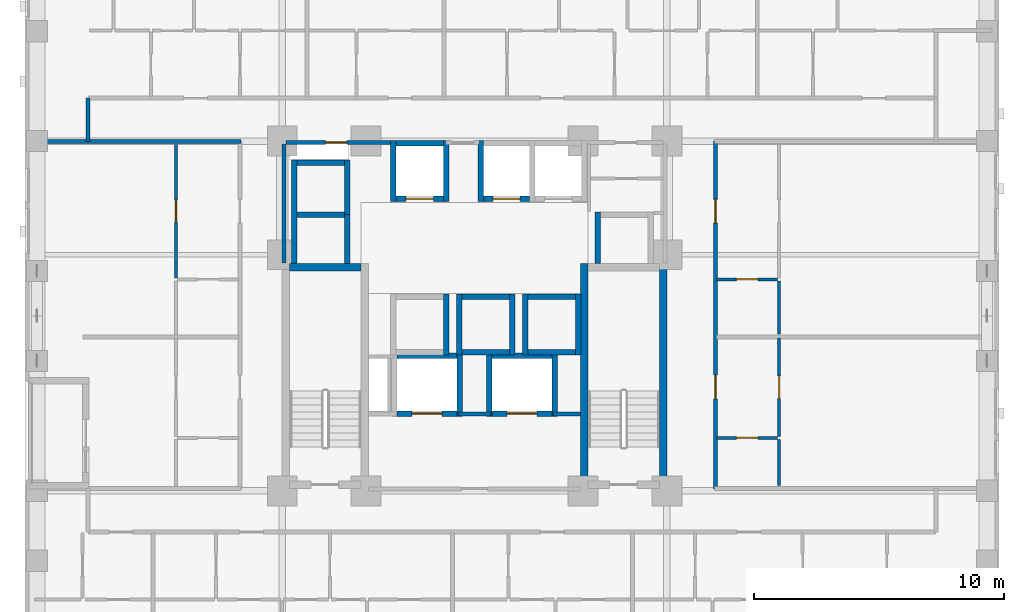
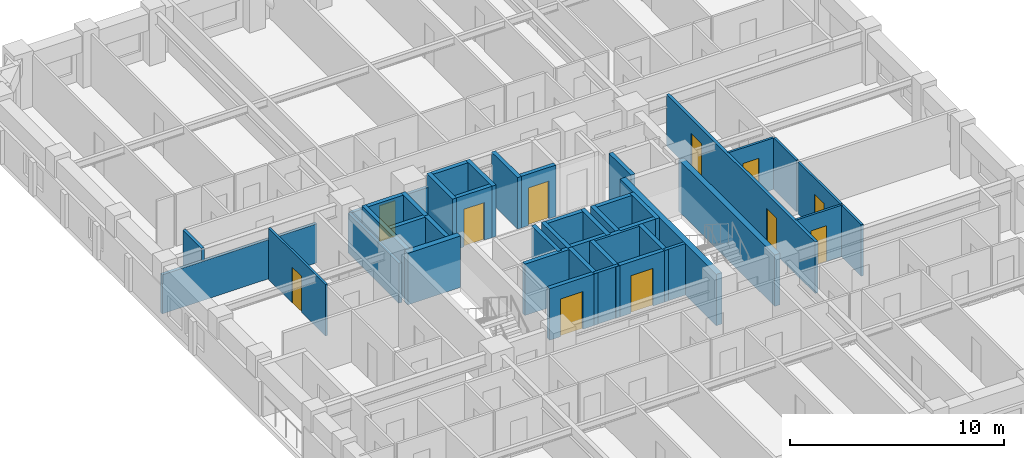
# One storey, part 5 of 14: 44 walls, 11 doors, 11 openings.
"""IFC4 building model written with IfcOpenShell, lengths in metres."""

from ifc_helpers import new_model, si_unit, derived_unit, direction, frame, frame_2d, origin, place, context, subcontext, project, spatial, rectangle, extrude, material, layer, layer_set, type_object, element, fill, save


model = new_model("IFC4")

# Units and contexts
model_context = context("Model", 3, precision=1e-05, world=origin(), true_north=direction((0.0, 1.0)))
body_context = subcontext(model_context, "Body", "Model", "MODEL_VIEW")
ifc_project = project(units=[si_unit("LENGTHUNIT", "METRE"), si_unit("AREAUNIT", "SQUARE_METRE"), si_unit("VOLUMEUNIT", "CUBIC_METRE"), si_unit("PLANEANGLEUNIT", "RADIAN"), si_unit("MASSUNIT", "GRAM", prefix="KILO"), derived_unit("THERMALTRANSMITTANCEUNIT", [(si_unit("MASSUNIT", "GRAM", prefix="KILO"), 1), (si_unit("TIMEUNIT", "SECOND"), -3), (si_unit("THERMODYNAMICTEMPERATUREUNIT", "KELVIN"), -1)])], contexts=[model_context])

# Site, building, storey
site_placement = place(None, origin())
site = spatial("IfcSite", under=ifc_project, at=site_placement, CompositionType="ELEMENT")
building_placement = place(site_placement, origin())
building = spatial("IfcBuilding", under=site, at=building_placement, Name="Korrvale Station Residences", CompositionType="ELEMENT")
storey_placement = place(building_placement, frame((0.0, 0.0, 57.800048828125)))
storey = spatial("IfcBuildingStorey", under=building, at=storey_placement, Name="L15", CompositionType="ELEMENT", Elevation=57.800048828125)

# Walls
ifc_material_1 = material(Name="Concrete C70/85", Category="concrete")
ifc_layer_1 = layer(ifc_material_1, 0.300048828125, Name="Concrete C70/85")
ifc_layer_set_1 = layer_set([ifc_layer_1], Name="Concrete C70/85")
wall_type_1 = type_object("IfcWallType", Name="WAL-CORE-300-C70", PredefinedType="SHEAR", material=ifc_layer_set_1)
wall_1_placement = place(storey_placement, frame((18.10009765625, 23.949951171875, 0.0), z_axis=(0.0, 0.0, 1.0), x_axis=(1.0, 0.0, 0.0)))
element("IfcWall", 1, at=wall_1_placement, inside=storey, type_object=wall_type_1, Name="L15 ST-1 Core Shear Wall North", PredefinedType="SHEAR", context=body_context, shape_type="SweptSolid", body=[
    extrude(rectangle(XDim=2.849853515625, YDim=0.300048828125, at=frame_2d((1.4248046875, 0.0))), origin(), (0.0, 0.0, 1.0), 2.93994140625),
])
for number, where, z_axis, x_axis, name in (
    (2, (29.89990234375, 15.10009765625, 0.0), (0.0, 0.0, 1.0), (0.0, 1.0, 0.0), "L15 ST-2 Core Shear Wall West"),
    (3, (33.050048828125, 15.10009765625, 0.0), (0.0, 0.0, 1.0), (0.0, 1.0, 0.0), "L15 ST-2 Core Shear Wall East"),
):
    element("IfcWall", number, at=place(storey_placement, frame(where, z_axis=z_axis, x_axis=x_axis)), inside=storey, type_object=wall_type_1, Name=name, PredefinedType="SHEAR", context=body_context, shape_type="SweptSolid", body=[
        extrude(rectangle(XDim=9.0, YDim=0.300048828125, at=frame_2d((4.5, 0.0))), origin(), (0.0, 0.0, 1.0), 2.93994140625),
    ])

# Wall, opening, door
ifc_material_2 = material(Name="Acoustic steel-stud gypsum board partition", Category="steel")
ifc_layer_2 = layer(ifc_material_2, 0.1201171875, Name="Acoustic steel-stud gypsum board partition")
ifc_layer_set_2 = layer_set([ifc_layer_2], Name="Acoustic steel-stud gypsum board partition")
wall_type_2 = type_object("IfcWallType", Name="WAL-PART-125", PredefinedType="PARTITIONING", material=ifc_layer_set_2)
wall_2_placement = place(storey_placement, frame((13.550048828125, 23.527099609375, 0.0), z_axis=(0.0, 0.0, 1.0), x_axis=(0.0, 1.0, 0.0)))
wall_2 = element("IfcWall", 4, at=wall_2_placement, inside=storey, type_object=wall_type_2, Name="L15 Suite Partition U10-V12", PredefinedType="PARTITIONING", context=body_context, shape_type="SweptSolid", body=[
    extrude(rectangle(XDim=5.3330078125, YDim=0.1201171875, at=frame_2d((2.66650390625, 0.0))), origin(), (0.0, 0.0, 1.0), 2.93994140625),
])
opening_1_placement = place(wall_2_placement, frame((2.216064453125, 0.0, 0.0)))
opening_1 = element("IfcOpeningElement", 5, at=opening_1_placement, cuts=wall_2, Name="Opening DI-900", PredefinedType="OPENING", context=body_context, shape_type="SweptSolid", body=[
    extrude(rectangle(XDim=0.89990234375, YDim=2.050048828125, at=frame_2d((0.449951171875, 1.02490234375))), frame((0.0, 0.070068359375, 0.0), z_axis=(0.0, -1.0, 0.0), x_axis=(1.0, 0.0, 0.0)), (0.0, 0.0, 1.0), 0.14013671875),
])
ifc_material_3 = material(Name="Painted solid-core timber interior room door", Category="wood")
door_type_1 = type_object("IfcDoorType", Name="DR-INT-900", OperationType="NOTDEFINED", PredefinedType="DOOR", material=ifc_material_3)
door_1_placement = place(opening_1_placement, origin())
door_1 = element("IfcDoor", 6, at=door_1_placement, inside=storey, type_object=door_type_1, Name="L15 Apartment 1BR L15-U10 Kitchen Door", OperationType="SINGLE_SWING_RIGHT", OverallHeight=2.050048828125, OverallWidth=0.89990234375, PredefinedType="DOOR", context=body_context, shape_type="SweptSolid", body=[
    extrude(rectangle(XDim=0.89990234375, YDim=2.050048828125, at=frame_2d((0.449951171875, 1.02490234375))), frame((0.0, 0.02490234375, 0.0), z_axis=(0.0, -1.0, 0.0), x_axis=(1.0, 0.0, 0.0)), (0.0, 0.0, 1.0), 0.050048828125),
])
fill(opening_1, door_1)

wall_3_placement = place(storey_placement, frame((35.18994140625, 17.1201171875, 0.0), z_axis=(0.0, 0.0, 1.0), x_axis=(1.0, 0.0, 0.0)))
wall_3 = element("IfcWall", 7, at=wall_3_placement, inside=storey, type_object=wall_type_2, Name="L15 Suite Partition U11-H01", PredefinedType="PARTITIONING", context=body_context, shape_type="SweptSolid", body=[
    extrude(rectangle(XDim=2.449951171875, YDim=0.1201171875, at=frame_2d((1.22509765625, 0.0))), origin(), (0.0, 0.0, 1.0), 2.93994140625),
])
opening_2_placement = place(wall_3_placement, frame((0.794921875, 0.0, 0.0)))
opening_2 = element("IfcOpeningElement", 8, at=opening_2_placement, cuts=wall_3, Name="Opening DB-860", PredefinedType="OPENING", context=body_context, shape_type="SweptSolid", body=[
    extrude(rectangle(XDim=0.860107421875, YDim=2.050048828125, at=frame_2d((0.43017578125, 1.02490234375))), frame((0.0, 0.070068359375, 0.0), z_axis=(0.0, -1.0, 0.0), x_axis=(1.0, 0.0, 0.0)), (0.0, 0.0, 1.0), 0.14013671875),
])
ifc_material_4 = material(Name="Moisture-resistant solid-core bathroom door", Category="timber")
door_type_2 = type_object("IfcDoorType", Name="DR-BATH-860", OperationType="NOTDEFINED", PredefinedType="DOOR", material=ifc_material_4)
door_2_placement = place(opening_2_placement, origin())
door_2 = element("IfcDoor", 9, at=door_2_placement, inside=storey, type_object=door_type_2, Name="L15 Apartment 1BR L15-U11 Bathroom Door", OperationType="SINGLE_SWING_LEFT", OverallHeight=2.050048828125, OverallWidth=0.860107421875, PredefinedType="DOOR", context=body_context, shape_type="SweptSolid", body=[
    extrude(rectangle(XDim=0.860107421875, YDim=2.050048828125, at=frame_2d((0.43017578125, 1.02490234375))), frame((0.0, 0.02490234375, 0.0), z_axis=(0.0, -1.0, 0.0), x_axis=(1.0, 0.0, 0.0)), (0.0, 0.0, 1.0), 0.050048828125),
])
fill(opening_2, door_2)

# Wall
wall_4_placement = place(storey_placement, frame((37.699951171875, 15.2099609375, 0.0), z_axis=(0.0, 0.0, 1.0), x_axis=(0.0, 1.0, 0.0)))
element("IfcWall", 10, at=wall_4_placement, inside=storey, type_object=wall_type_2, Name="L15 Suite Partition U11-V02", PredefinedType="PARTITIONING", context=body_context, shape_type="SweptSolid", body=[
    extrude(rectangle(XDim=1.85009765625, YDim=0.1201171875, at=frame_2d((0.925048828125, 0.0))), origin(), (0.0, 0.0, 1.0), 2.93994140625),
])

# Wall, opening, door
wall_5_placement = place(storey_placement, frame((37.699951171875, 17.179931640625, 0.0), z_axis=(0.0, 0.0, 1.0), x_axis=(0.0, 1.0, 0.0)))
wall_5 = element("IfcWall", 11, at=wall_5_placement, inside=storey, type_object=wall_type_2, Name="L15 Suite Partition U11-V12", PredefinedType="PARTITIONING", context=body_context, shape_type="SweptSolid", body=[
    extrude(rectangle(XDim=3.946044921875, YDim=0.1201171875, at=frame_2d((1.97314453125, 0.0))), origin(), (0.0, 0.0, 1.0), 2.93994140625),
])
opening_3_placement = place(wall_5_placement, frame((1.52294921875, 0.0, 0.0)))
opening_3 = element("IfcOpeningElement", 12, at=opening_3_placement, cuts=wall_5, Name="Opening DI-900", PredefinedType="OPENING", context=body_context, shape_type="SweptSolid", body=[
    extrude(rectangle(XDim=0.89990234375, YDim=2.050048828125, at=frame_2d((0.449951171875, 1.02490234375))), frame((0.0, 0.070068359375, 0.0), z_axis=(0.0, -1.0, 0.0), x_axis=(1.0, 0.0, 0.0)), (0.0, 0.0, 1.0), 0.14013671875),
])
door_3_placement = place(opening_3_placement, origin())
door_3 = element("IfcDoor", 13, at=door_3_placement, inside=storey, type_object=door_type_1, Name="L15 Apartment 1BR L15-U11 Kitchen Door", OperationType="SINGLE_SWING_RIGHT", OverallHeight=2.050048828125, OverallWidth=0.89990234375, PredefinedType="DOOR", context=body_context, shape_type="SweptSolid", body=[
    extrude(rectangle(XDim=0.89990234375, YDim=2.050048828125, at=frame_2d((0.449951171875, 1.02490234375))), frame((0.0, 0.02490234375, 0.0), z_axis=(0.0, -1.0, 0.0), x_axis=(1.0, 0.0, 0.0)), (0.0, 0.0, 1.0), 0.050048828125),
])
fill(opening_3, door_3)

wall_6_placement = place(storey_placement, frame((35.18994140625, 23.467041015625, 0.0), z_axis=(0.0, 0.0, 1.0), x_axis=(1.0, 0.0, 0.0)))
wall_6 = element("IfcWall", 14, at=wall_6_placement, inside=storey, type_object=wall_type_2, Name="L15 Suite Partition U12-H01", PredefinedType="PARTITIONING", context=body_context, shape_type="SweptSolid", body=[
    extrude(rectangle(XDim=2.449951171875, YDim=0.1201171875, at=frame_2d((1.22509765625, 0.0))), origin(), (0.0, 0.0, 1.0), 2.93994140625),
])
opening_4_placement = place(wall_6_placement, frame((0.794921875, 0.0, 0.0)))
opening_4 = element("IfcOpeningElement", 15, at=opening_4_placement, cuts=wall_6, Name="Opening DB-860", PredefinedType="OPENING", context=body_context, shape_type="SweptSolid", body=[
    extrude(rectangle(XDim=0.860107421875, YDim=2.050048828125, at=frame_2d((0.43017578125, 1.02490234375))), frame((0.0, 0.070068359375, 0.0), z_axis=(0.0, -1.0, 0.0), x_axis=(1.0, 0.0, 0.0)), (0.0, 0.0, 1.0), 0.14013671875),
])
door_4_placement = place(opening_4_placement, origin())
door_4 = element("IfcDoor", 16, at=door_4_placement, inside=storey, type_object=door_type_2, Name="L15 Apartment 1BR L15-U12 Bathroom Door", OperationType="SINGLE_SWING_LEFT", OverallHeight=2.050048828125, OverallWidth=0.860107421875, PredefinedType="DOOR", context=body_context, shape_type="SweptSolid", body=[
    extrude(rectangle(XDim=0.860107421875, YDim=2.050048828125, at=frame_2d((0.43017578125, 1.02490234375))), frame((0.0, 0.02490234375, 0.0), z_axis=(0.0, -1.0, 0.0), x_axis=(1.0, 0.0, 0.0)), (0.0, 0.0, 1.0), 0.050048828125),
])
fill(opening_4, door_4)

# Walls
wall_7_placement = place(storey_placement, frame((37.699951171875, 21.285888671875, 0.0), z_axis=(0.0, 0.0, 1.0), x_axis=(0.0, 1.0, 0.0)))
element("IfcWall", 17, at=wall_7_placement, inside=storey, type_object=wall_type_2, Name="L15 Suite Partition U12-V02", PredefinedType="PARTITIONING", context=body_context, shape_type="SweptSolid", body=[
    extrude(rectangle(XDim=2.12109375, YDim=0.1201171875, at=frame_2d((1.060546875, 0.0))), origin(), (0.0, 0.0, 1.0), 2.93994140625),
])
ifc_material_5 = material(Name="Fire-rated twin-stud gypsum and mineral wool shaftwall assembly", Category="gypsum")
ifc_layer_3 = layer(ifc_material_5, 0.159912109375, Name="Fire-rated twin-stud gypsum and mineral wool shaftwall assembly")
ifc_layer_set_3 = layer_set([ifc_layer_3], Name="Fire-rated twin-stud gypsum and mineral wool shaftwall assembly")
wall_type_3 = type_object("IfcWallType", Name="WAL-PART-200", PredefinedType="PARTITIONING", material=ifc_layer_set_3)
wall_8_placement = place(storey_placement, frame((24.85009765625, 18.080078125, 0.0), z_axis=(0.0, 0.0, 1.0), x_axis=(1.0, 0.0, 0.0)))
element("IfcWall", 18, at=wall_8_placement, inside=storey, type_object=wall_type_3, Name="L15 Core Partition CW-FFL-N2", PredefinedType="PARTITIONING", context=body_context, shape_type="SweptSolid", body=[
    extrude(rectangle(XDim=1.2998046875, YDim=0.159912109375, at=frame_2d((0.64990234375, 0.0))), origin(), (0.0, 0.0, 1.0), 2.93994140625),
])
wall_9_placement = place(storey_placement, frame((28.64990234375, 18.080078125, 0.0), z_axis=(0.0, 0.0, 1.0), x_axis=(1.0, 0.0, 0.0)))
element("IfcWall", 19, at=wall_9_placement, inside=storey, type_object=wall_type_3, Name="L15 Core Partition CW-FFL-N3", PredefinedType="PARTITIONING", context=body_context, shape_type="SweptSolid", body=[
    extrude(rectangle(XDim=1.10009765625, YDim=0.159912109375, at=frame_2d((0.550048828125, 0.0))), origin(), (0.0, 0.0, 1.0), 2.93994140625),
])
wall_10_placement = place(storey_placement, frame((17.8798828125, 24.1201171875, 0.0), z_axis=(0.0, 0.0, 1.0), x_axis=(0.0, 1.0, 0.0)))
element("IfcWall", 20, at=wall_10_placement, inside=storey, type_object=wall_type_3, Name="L15 Core Partition CW-W-N", PredefinedType="PARTITIONING", context=body_context, shape_type="SweptSolid", body=[
    extrude(rectangle(XDim=4.759765625, YDim=0.159912109375, at=frame_2d((2.3798828125, 0.0))), origin(), (0.0, 0.0, 1.0), 2.27490234375),
])

# Wall, opening, door
wall_11_placement = place(storey_placement, frame((17.9599609375, 28.949951171875, 0.0), z_axis=(0.0, 0.0, 1.0), x_axis=(1.0, 0.0, 0.0)))
wall_11 = element("IfcWall", 21, at=wall_11_placement, inside=storey, type_object=wall_type_3, Name="L15 Core Partition CW-NW", PredefinedType="PARTITIONING", context=body_context, shape_type="SweptSolid", body=[
    extrude(rectangle(XDim=4.2900390625, YDim=0.159912109375, at=frame_2d((2.14501953125, 0.0))), origin(), (0.0, 0.0, 1.0), 2.23193359375),
])
opening_5_placement = place(wall_11_placement, frame((1.570068359375, 0.0, 0.0)))
opening_5 = element("IfcOpeningElement", 22, at=opening_5_placement, cuts=wall_11, Name="Opening DB-860", PredefinedType="OPENING", context=body_context, shape_type="SweptSolid", body=[
    extrude(rectangle(XDim=0.860107421875, YDim=2.050048828125, at=frame_2d((0.43017578125, 1.02490234375))), frame((0.0, 0.08984375, 0.0), z_axis=(0.0, -1.0, 0.0), x_axis=(1.0, 0.0, 0.0)), (0.0, 0.0, 1.0), 0.179931640625),
])
door_5_placement = place(opening_5_placement, origin())
door_5 = element("IfcDoor", 23, at=door_5_placement, inside=storey, type_object=door_type_2, Name="L15 Electrical Riser Access Door", OperationType="SINGLE_SWING_LEFT", OverallHeight=2.050048828125, OverallWidth=0.860107421875, PredefinedType="DOOR", context=body_context, shape_type="SweptSolid", body=[
    extrude(rectangle(XDim=0.860107421875, YDim=2.050048828125, at=frame_2d((0.43017578125, 1.02490234375))), frame((0.0, 0.02490234375, 0.0), z_axis=(0.0, -1.0, 0.0), x_axis=(1.0, 0.0, 0.0)), (0.0, 0.0, 1.0), 0.050048828125),
])
fill(opening_5, door_5)

# Walls
wall_12_placement = place(storey_placement, frame((10.02001953125, 28.97998046875, 0.0), z_axis=(0.0, 0.0, 1.0), x_axis=(0.0, 1.0, 0.0)))
element("IfcWall", 24, at=wall_12_placement, inside=storey, type_object=wall_type_3, Name="L15 Corridor North West Cap", PredefinedType="PARTITIONING", context=body_context, shape_type="SweptSolid", body=[
    extrude(rectangle(XDim=1.739990234375, YDim=0.159912109375, at=frame_2d((0.8701171875, 0.0))), origin(), (0.0, 0.0, 1.0), 2.93994140625),
])
wall_13_placement = place(storey_placement, frame((7.780029296875, 28.97998046875, 0.0), z_axis=(0.0, 0.0, 1.0), x_axis=(1.0, 0.0, 0.0)))
element("IfcWall", 25, at=wall_13_placement, inside=storey, type_object=wall_type_3, Name="L15 West Wing North Corridor Wall", PredefinedType="PARTITIONING", context=body_context, shape_type="SweptSolid", body=[
    extrude(rectangle(XDim=8.35986328125, YDim=0.159912109375, at=frame_2d((4.179931640625, 0.0))), origin(), (0.0, 0.0, 1.0), 2.23193359375),
])

# Wall, openings, doors
wall_14_placement = place(storey_placement, frame((35.14990234375, 15.070068359375, 0.0), z_axis=(0.0, 0.0, 1.0), x_axis=(0.0, 1.0, 0.0)))
wall_14 = element("IfcWall", 26, at=wall_14_placement, inside=storey, type_object=wall_type_3, Name="L15 Rated Corridor Wall E", PredefinedType="PARTITIONING", context=body_context, shape_type="SweptSolid", body=[
    extrude(rectangle(XDim=13.929931640625, YDim=0.159912109375, at=frame_2d((6.96484375, 0.0))), origin(), (0.0, 0.0, 1.0), 2.93994140625),
])
opening_6_placement = place(wall_14_placement, frame((3.60791015625, 0.0, 0.0)))
opening_6 = element("IfcOpeningElement", 27, at=opening_6_placement, cuts=wall_14, Name="Opening UD-950", PredefinedType="OPENING", context=body_context, shape_type="SweptSolid", body=[
    extrude(rectangle(XDim=0.949951171875, YDim=2.10009765625, at=frame_2d((0.47509765625, 1.050048828125))), frame((0.0, 0.08984375, 0.0), z_axis=(0.0, -1.0, 0.0), x_axis=(1.0, 0.0, 0.0)), (0.0, 0.0, 1.0), 0.179931640625),
])
opening_7_placement = place(wall_14_placement, frame((10.64892578125, 0.0, 0.0)))
opening_7 = element("IfcOpeningElement", 28, at=opening_7_placement, cuts=wall_14, Name="Opening UD-950", PredefinedType="OPENING", context=body_context, shape_type="SweptSolid", body=[
    extrude(rectangle(XDim=0.949951171875, YDim=2.10009765625, at=frame_2d((0.47509765625, 1.050048828125))), frame((0.0, 0.08984375, 0.0), z_axis=(0.0, -1.0, 0.0), x_axis=(1.0, 0.0, 0.0)), (0.0, 0.0, 1.0), 0.179931640625),
])
ifc_material_6 = material(Name="Solid-core acoustic oak apartment entrance door", Category="timber")
door_type_3 = type_object("IfcDoorType", Name="DR-UNIT-950", OperationType="NOTDEFINED", PredefinedType="DOOR", material=ifc_material_6)
door_6_placement = place(opening_6_placement, origin())
door_6 = element("IfcDoor", 29, at=door_6_placement, inside=storey, type_object=door_type_3, Name="L15 Apartment L15-U11 Entrance Door", OperationType="SINGLE_SWING_LEFT", OverallHeight=2.10009765625, OverallWidth=0.949951171875, PredefinedType="DOOR", context=body_context, shape_type="SweptSolid", body=[
    extrude(rectangle(XDim=0.949951171875, YDim=2.10009765625, at=frame_2d((0.47509765625, 1.050048828125))), frame((0.0, 0.02490234375, 0.0), z_axis=(0.0, -1.0, 0.0), x_axis=(1.0, 0.0, 0.0)), (0.0, 0.0, 1.0), 0.050048828125),
])
fill(opening_6, door_6)
door_7_placement = place(opening_7_placement, origin())
door_7 = element("IfcDoor", 30, at=door_7_placement, inside=storey, type_object=door_type_3, Name="L15 Apartment L15-U12 Entrance Door", OperationType="SINGLE_SWING_RIGHT", OverallHeight=2.10009765625, OverallWidth=0.949951171875, PredefinedType="DOOR", context=body_context, shape_type="SweptSolid", body=[
    extrude(rectangle(XDim=0.949951171875, YDim=2.10009765625, at=frame_2d((0.47509765625, 1.050048828125))), frame((0.0, 0.02490234375, 0.0), z_axis=(0.0, -1.0, 0.0), x_axis=(1.0, 0.0, 0.0)), (0.0, 0.0, 1.0), 0.050048828125),
])
fill(opening_7, door_7)

# Wall, opening, door
ifc_layer_4 = layer(ifc_material_1, 0.219970703125, Name="Concrete C70/85")
ifc_layer_set_4 = layer_set([ifc_layer_4], Name="Concrete C70/85")
wall_type_4 = type_object("IfcWallType", Name="WAL-SHAFT-220-C70", PredefinedType="SHEAR", material=ifc_layer_set_4)
wall_15_placement = place(storey_placement, frame((22.35009765625, 26.68994140625, 0.0), z_axis=(0.0, 0.0, 1.0), x_axis=(1.0, 0.0, 0.0)))
wall_15 = element("IfcWall", 31, at=wall_15_placement, inside=storey, type_object=wall_type_4, Name="L15 Elevator PL-1 Hoistway Wall South", PredefinedType="SHEAR", context=body_context, shape_type="SweptSolid", body=[
    extrude(rectangle(XDim=1.89990234375, YDim=0.219970703125, at=frame_2d((0.949951171875, 0.0))), origin(), (0.0, 0.0, 1.0), 2.93994140625),
])
opening_8_placement = place(wall_15_placement, frame((0.39990234375, 0.0, 0.0)))
opening_8 = element("IfcOpeningElement", 32, at=opening_8_placement, cuts=wall_15, Name="Opening LD-1100", PredefinedType="OPENING", context=body_context, shape_type="SweptSolid", body=[
    extrude(rectangle(XDim=1.10009765625, YDim=2.14990234375, at=frame_2d((0.550048828125, 1.074951171875))), frame((0.0, 0.1201171875, 0.0), z_axis=(0.0, -1.0, 0.0), x_axis=(1.0, 0.0, 0.0)), (0.0, 0.0, 1.0), 0.239990234375),
])
ifc_material_7 = material(Name="Brushed stainless-steel elevator landing sliding door", Category="steel")
door_type_4 = type_object("IfcDoorType", Name="DR-LIFT-1100", OperationType="SLIDING_TO_LEFT", PredefinedType="DOOR", material=ifc_material_7)
door_8_placement = place(opening_8_placement, origin())
door_8 = element("IfcDoor", 33, at=door_8_placement, inside=storey, type_object=door_type_4, Name="L15 Elevator PL-1 Sliding Landing Door", OperationType="SLIDING_TO_LEFT", OverallHeight=2.14990234375, OverallWidth=1.10009765625, PredefinedType="DOOR", context=body_context, shape_type="SweptSolid", body=[
    extrude(rectangle(XDim=1.10009765625, YDim=2.14990234375, at=frame_2d((0.550048828125, 1.074951171875))), frame((0.0, 0.02490234375, 0.0), z_axis=(0.0, -1.0, 0.0), x_axis=(1.0, 0.0, 0.0)), (0.0, 0.0, 1.0), 0.050048828125),
])
fill(opening_8, door_8)

# Walls
wall_16_placement = place(storey_placement, frame((22.35009765625, 28.909912109375, 0.0), z_axis=(0.0, 0.0, 1.0), x_axis=(1.0, 0.0, 0.0)))
element("IfcWall", 34, at=wall_16_placement, inside=storey, type_object=wall_type_4, Name="L15 Elevator PL-1 Hoistway Wall North", PredefinedType="SHEAR", context=body_context, shape_type="SweptSolid", body=[
    extrude(rectangle(XDim=1.89990234375, YDim=0.219970703125, at=frame_2d((0.949951171875, 0.0))), origin(), (0.0, 0.0, 1.0), 2.93994140625),
])
for number, where, z_axis, x_axis, name in (
    (35, (22.239990234375, 26.580078125, 0.0), (0.0, 0.0, 1.0), (0.0, 1.0, 0.0), "L15 Elevator PL-1 Hoistway Wall West"),
    (36, (24.360107421875, 26.580078125, 0.0), (0.0, 0.0, 1.0), (0.0, 1.0, 0.0), "L15 Elevator PL-1 Hoistway Wall East"),
):
    element("IfcWall", number, at=place(storey_placement, frame(where, z_axis=z_axis, x_axis=x_axis)), inside=storey, type_object=wall_type_4, Name=name, PredefinedType="SHEAR", context=body_context, shape_type="SweptSolid", body=[
        extrude(rectangle(XDim=2.43994140625, YDim=0.219970703125, at=frame_2d((1.219970703125, 0.0))), origin(), (0.0, 0.0, 1.0), 2.93994140625),
    ])

# Wall, opening, door
wall_17_placement = place(storey_placement, frame((25.85009765625, 26.68994140625, 0.0), z_axis=(0.0, 0.0, 1.0), x_axis=(1.0, 0.0, 0.0)))
wall_17 = element("IfcWall", 37, at=wall_17_placement, inside=storey, type_object=wall_type_4, Name="L15 Elevator PL-2 Hoistway Wall South", PredefinedType="SHEAR", context=body_context, shape_type="SweptSolid", body=[
    extrude(rectangle(XDim=1.85986328125, YDim=0.219970703125, at=frame_2d((0.929931640625, 0.0))), origin(), (0.0, 0.0, 1.0), 2.93994140625),
])
opening_9_placement = place(wall_17_placement, frame((0.3798828125, 0.0, 0.0)))
opening_9 = element("IfcOpeningElement", 38, at=opening_9_placement, cuts=wall_17, Name="Opening LD-1100", PredefinedType="OPENING", context=body_context, shape_type="SweptSolid", body=[
    extrude(rectangle(XDim=1.10009765625, YDim=2.14990234375, at=frame_2d((0.550048828125, 1.074951171875))), frame((0.0, 0.1201171875, 0.0), z_axis=(0.0, -1.0, 0.0), x_axis=(1.0, 0.0, 0.0)), (0.0, 0.0, 1.0), 0.239990234375),
])
door_9_placement = place(opening_9_placement, origin())
door_9 = element("IfcDoor", 39, at=door_9_placement, inside=storey, type_object=door_type_4, Name="L15 Elevator PL-2 Sliding Landing Door", OperationType="SLIDING_TO_LEFT", OverallHeight=2.14990234375, OverallWidth=1.10009765625, PredefinedType="DOOR", context=body_context, shape_type="SweptSolid", body=[
    extrude(rectangle(XDim=1.10009765625, YDim=2.14990234375, at=frame_2d((0.550048828125, 1.074951171875))), frame((0.0, 0.02490234375, 0.0), z_axis=(0.0, -1.0, 0.0), x_axis=(1.0, 0.0, 0.0)), (0.0, 0.0, 1.0), 0.050048828125),
])
fill(opening_9, door_9)

# Walls
wall_18_placement = place(storey_placement, frame((25.739990234375, 26.580078125, 0.0), z_axis=(0.0, 0.0, 1.0), x_axis=(0.0, 1.0, 0.0)))
element("IfcWall", 40, at=wall_18_placement, inside=storey, type_object=wall_type_4, Name="L15 Elevator PL-2 Hoistway Wall West", PredefinedType="SHEAR", context=body_context, shape_type="SweptSolid", body=[
    extrude(rectangle(XDim=2.43994140625, YDim=0.219970703125, at=frame_2d((1.219970703125, 0.0))), origin(), (0.0, 0.0, 1.0), 2.93994140625),
])
wall_19_placement = place(storey_placement, frame((24.360107421875, 20.429931640625, 0.0), z_axis=(0.0, 0.0, 1.0), x_axis=(0.0, 1.0, 0.0)))
element("IfcWall", 41, at=wall_19_placement, inside=storey, type_object=wall_type_4, Name="L15 Elevator PM-1 Hoistway Wall East", PredefinedType="SHEAR", context=body_context, shape_type="SweptSolid", body=[
    extrude(rectangle(XDim=2.440185546875, YDim=0.219970703125, at=frame_2d((1.22021484375, 0.0))), origin(), (0.0, 0.0, 1.0), 2.93994140625),
])
for number, where, z_axis, x_axis, name in (
    (42, (25.0, 20.5400390625, 0.0), (0.0, 0.0, 1.0), (1.0, 0.0, 0.0), "L15 Elevator PM-2 Hoistway Wall South"),
    (43, (25.0, 22.760009765625, 0.0), (0.0, 0.0, 1.0), (1.0, 0.0, 0.0), "L15 Elevator PM-2 Hoistway Wall North"),
):
    element("IfcWall", number, at=place(storey_placement, frame(where, z_axis=z_axis, x_axis=x_axis)), inside=storey, type_object=wall_type_4, Name=name, PredefinedType="SHEAR", context=body_context, shape_type="SweptSolid", body=[
        extrude(rectangle(XDim=1.89990234375, YDim=0.219970703125, at=frame_2d((0.949951171875, 0.0))), origin(), (0.0, 0.0, 1.0), 2.93994140625),
    ])
for number, where, z_axis, x_axis, name in (
    (44, (24.889892578125, 20.429931640625, 0.0), (0.0, 0.0, 1.0), (0.0, 1.0, 0.0), "L15 Elevator PM-2 Hoistway Wall West"),
    (45, (27.010009765625, 20.429931640625, 0.0), (0.0, 0.0, 1.0), (0.0, 1.0, 0.0), "L15 Elevator PM-2 Hoistway Wall East"),
):
    element("IfcWall", number, at=place(storey_placement, frame(where, z_axis=z_axis, x_axis=x_axis)), inside=storey, type_object=wall_type_4, Name=name, PredefinedType="SHEAR", context=body_context, shape_type="SweptSolid", body=[
        extrude(rectangle(XDim=2.440185546875, YDim=0.219970703125, at=frame_2d((1.22021484375, 0.0))), origin(), (0.0, 0.0, 1.0), 2.93994140625),
    ])
for number, where, z_axis, x_axis, name in (
    (46, (27.64990234375, 20.5400390625, 0.0), (0.0, 0.0, 1.0), (1.0, 0.0, 0.0), "L15 Elevator PM-3 Hoistway Wall South"),
    (47, (27.64990234375, 22.760009765625, 0.0), (0.0, 0.0, 1.0), (1.0, 0.0, 0.0), "L15 Elevator PM-3 Hoistway Wall North"),
):
    element("IfcWall", number, at=place(storey_placement, frame(where, z_axis=z_axis, x_axis=x_axis)), inside=storey, type_object=wall_type_4, Name=name, PredefinedType="SHEAR", context=body_context, shape_type="SweptSolid", body=[
        extrude(rectangle(XDim=1.900146484375, YDim=0.219970703125, at=frame_2d((0.9501953125, 0.0))), origin(), (0.0, 0.0, 1.0), 2.93994140625),
    ])
for number, where, z_axis, x_axis, name in (
    (48, (27.5400390625, 20.429931640625, 0.0), (0.0, 0.0, 1.0), (0.0, 1.0, 0.0), "L15 Elevator PM-3 Hoistway Wall West"),
    (49, (29.659912109375, 20.429931640625, 0.0), (0.0, 0.0, 1.0), (0.0, 1.0, 0.0), "L15 Elevator PM-3 Hoistway Wall East"),
):
    element("IfcWall", number, at=place(storey_placement, frame(where, z_axis=z_axis, x_axis=x_axis)), inside=storey, type_object=wall_type_4, Name=name, PredefinedType="SHEAR", context=body_context, shape_type="SweptSolid", body=[
        extrude(rectangle(XDim=2.440185546875, YDim=0.219970703125, at=frame_2d((1.22021484375, 0.0))), origin(), (0.0, 0.0, 1.0), 2.93994140625),
    ])
wall_20_placement = place(storey_placement, frame((18.2900390625, 24.10009765625, 0.0), z_axis=(0.0, 0.0, 1.0), x_axis=(0.0, 1.0, 0.0)))
element("IfcWall", 50, at=wall_20_placement, inside=storey, type_object=wall_type_4, Name="L15 Elevator PH-1 Hoistway Wall West", PredefinedType="SHEAR", context=body_context, shape_type="SweptSolid", body=[
    extrude(rectangle(XDim=4.139892578125, YDim=0.219970703125, at=frame_2d((2.06982421875, 0.0))), origin(), (0.0, 0.0, 1.0), 2.93994140625),
])
wall_21_placement = place(storey_placement, frame((20.409912109375, 24.10009765625, 0.0), z_axis=(0.0, 0.0, 1.0), x_axis=(0.0, 1.0, 0.0)))
element("IfcWall", 51, at=wall_21_placement, inside=storey, type_object=wall_type_4, Name="L15 Elevator PH-1 Hoistway Wall East", PredefinedType="SHEAR", context=body_context, shape_type="SweptSolid", body=[
    extrude(rectangle(XDim=1.9599609375, YDim=0.219970703125, at=frame_2d((0.97998046875, 0.0))), origin(), (0.0, 0.0, 1.0), 2.93994140625),
])
for number, where, z_axis, x_axis, name in (
    (52, (18.39990234375, 26.06005859375, 0.0), (0.0, 0.0, 1.0), (1.0, 0.0, 0.0), "L15 Elevator PH-2 Hoistway Wall South"),
    (53, (18.39990234375, 28.1298828125, 0.0), (0.0, 0.0, 1.0), (1.0, 0.0, 0.0), "L15 Elevator PH-2 Hoistway Wall North"),
):
    element("IfcWall", number, at=place(storey_placement, frame(where, z_axis=z_axis, x_axis=x_axis)), inside=storey, type_object=wall_type_4, Name=name, PredefinedType="SHEAR", context=body_context, shape_type="SweptSolid", body=[
        extrude(rectangle(XDim=1.900146484375, YDim=0.219970703125, at=frame_2d((0.9501953125, 0.0))), origin(), (0.0, 0.0, 1.0), 2.93994140625),
    ])
wall_22_placement = place(storey_placement, frame((20.409912109375, 26.06005859375, 0.0), z_axis=(0.0, 0.0, 1.0), x_axis=(0.0, 1.0, 0.0)))
element("IfcWall", 54, at=wall_22_placement, inside=storey, type_object=wall_type_4, Name="L15 Elevator PH-2 Hoistway Wall East", PredefinedType="SHEAR", context=body_context, shape_type="SweptSolid", body=[
    extrude(rectangle(XDim=2.179931640625, YDim=0.219970703125, at=frame_2d((1.08984375, 0.0))), origin(), (0.0, 0.0, 1.0), 2.93994140625),
])
wall_23_placement = place(storey_placement, frame((30.43994140625, 24.10009765625, 0.0), z_axis=(0.0, 0.0, 1.0), x_axis=(0.0, 1.0, 0.0)))
element("IfcWall", 55, at=wall_23_placement, inside=storey, type_object=wall_type_4, Name="L15 Elevator PH-3 Hoistway Wall West", PredefinedType="SHEAR", context=body_context, shape_type="SweptSolid", body=[
    extrude(rectangle(XDim=2.06982421875, YDim=0.219970703125, at=frame_2d((1.034912109375, 0.0))), origin(), (0.0, 0.0, 1.0), 2.93994140625),
])

# Wall, opening, door
wall_24_placement = place(storey_placement, frame((22.39990234375, 18.090087890625, 0.0), z_axis=(0.0, 0.0, 1.0), x_axis=(1.0, 0.0, 0.0)))
wall_24 = element("IfcWall", 56, at=wall_24_placement, inside=storey, type_object=wall_type_4, Name="L15 Elevator FFL-1 Hoistway Wall South", PredefinedType="SHEAR", context=body_context, shape_type="SweptSolid", body=[
    extrude(rectangle(XDim=2.400146484375, YDim=0.219970703125, at=frame_2d((1.2001953125, 0.0))), origin(), (0.0, 0.0, 1.0), 2.93994140625),
])
opening_10_placement = place(wall_24_placement, frame((0.60009765625, 0.0, 0.0)))
opening_10 = element("IfcOpeningElement", 57, at=opening_10_placement, cuts=wall_24, Name="Opening LD-FF1200", PredefinedType="OPENING", context=body_context, shape_type="SweptSolid", body=[
    extrude(rectangle(XDim=1.199951171875, YDim=2.14990234375, at=frame_2d((0.60009765625, 1.074951171875))), frame((0.0, 0.1201171875, 0.0), z_axis=(0.0, -1.0, 0.0), x_axis=(1.0, 0.0, 0.0)), (0.0, 0.0, 1.0), 0.239990234375),
])
ifc_material_8 = material(Name="Stainless-steel firefighter elevator landing sliding door", Category="steel")
door_type_5 = type_object("IfcDoorType", Name="DR-LIFT-FF1200", OperationType="SLIDING_TO_LEFT", PredefinedType="DOOR", material=ifc_material_8)
door_10_placement = place(opening_10_placement, origin())
door_10 = element("IfcDoor", 58, at=door_10_placement, inside=storey, type_object=door_type_5, Name="L15 Elevator FFL-1 Sliding Landing Door", OperationType="SLIDING_TO_LEFT", OverallHeight=2.14990234375, OverallWidth=1.199951171875, PredefinedType="DOOR", context=body_context, shape_type="SweptSolid", body=[
    extrude(rectangle(XDim=1.199951171875, YDim=2.14990234375, at=frame_2d((0.60009765625, 1.074951171875))), frame((0.0, 0.02490234375, 0.0), z_axis=(0.0, -1.0, 0.0), x_axis=(1.0, 0.0, 0.0)), (0.0, 0.0, 1.0), 0.050048828125),
])
fill(opening_10, door_10)

# Walls
wall_25_placement = place(storey_placement, frame((22.39990234375, 20.409912109375, 0.0), z_axis=(0.0, 0.0, 1.0), x_axis=(1.0, 0.0, 0.0)))
element("IfcWall", 59, at=wall_25_placement, inside=storey, type_object=wall_type_4, Name="L15 Elevator FFL-1 Hoistway Wall North", PredefinedType="SHEAR", context=body_context, shape_type="SweptSolid", body=[
    extrude(rectangle(XDim=2.400146484375, YDim=0.219970703125, at=frame_2d((1.2001953125, 0.0))), origin(), (0.0, 0.0, 1.0), 2.93994140625),
])
wall_26_placement = place(storey_placement, frame((24.909912109375, 17.97998046875, 0.0), z_axis=(0.0, 0.0, 1.0), x_axis=(0.0, 1.0, 0.0)))
element("IfcWall", 60, at=wall_26_placement, inside=storey, type_object=wall_type_4, Name="L15 Elevator FFL-1 Hoistway Wall East", PredefinedType="SHEAR", context=body_context, shape_type="SweptSolid", body=[
    extrude(rectangle(XDim=2.5400390625, YDim=0.219970703125, at=frame_2d((1.27001953125, 0.0))), origin(), (0.0, 0.0, 1.0), 2.93994140625),
])

# Wall, opening, door
wall_27_placement = place(storey_placement, frame((26.199951171875, 18.090087890625, 0.0), z_axis=(0.0, 0.0, 1.0), x_axis=(1.0, 0.0, 0.0)))
wall_27 = element("IfcWall", 61, at=wall_27_placement, inside=storey, type_object=wall_type_4, Name="L15 Elevator FFL-2 Hoistway Wall South", PredefinedType="SHEAR", context=body_context, shape_type="SweptSolid", body=[
    extrude(rectangle(XDim=2.400146484375, YDim=0.219970703125, at=frame_2d((1.2001953125, 0.0))), origin(), (0.0, 0.0, 1.0), 2.93994140625),
])
opening_11_placement = place(wall_27_placement, frame((0.60009765625, 0.0, 0.0)))
opening_11 = element("IfcOpeningElement", 62, at=opening_11_placement, cuts=wall_27, Name="Opening LD-FF1200", PredefinedType="OPENING", context=body_context, shape_type="SweptSolid", body=[
    extrude(rectangle(XDim=1.199951171875, YDim=2.14990234375, at=frame_2d((0.60009765625, 1.074951171875))), frame((0.0, 0.1201171875, 0.0), z_axis=(0.0, -1.0, 0.0), x_axis=(1.0, 0.0, 0.0)), (0.0, 0.0, 1.0), 0.239990234375),
])
door_11_placement = place(opening_11_placement, origin())
door_11 = element("IfcDoor", 63, at=door_11_placement, inside=storey, type_object=door_type_5, Name="L15 Elevator FFL-2 Sliding Landing Door", OperationType="SLIDING_TO_LEFT", OverallHeight=2.14990234375, OverallWidth=1.199951171875, PredefinedType="DOOR", context=body_context, shape_type="SweptSolid", body=[
    extrude(rectangle(XDim=1.199951171875, YDim=2.14990234375, at=frame_2d((0.60009765625, 1.074951171875))), frame((0.0, 0.02490234375, 0.0), z_axis=(0.0, -1.0, 0.0), x_axis=(1.0, 0.0, 0.0)), (0.0, 0.0, 1.0), 0.050048828125),
])
fill(opening_11, door_11)

# Walls
wall_28_placement = place(storey_placement, frame((26.199951171875, 20.409912109375, 0.0), z_axis=(0.0, 0.0, 1.0), x_axis=(1.0, 0.0, 0.0)))
element("IfcWall", 64, at=wall_28_placement, inside=storey, type_object=wall_type_4, Name="L15 Elevator FFL-2 Hoistway Wall North", PredefinedType="SHEAR", context=body_context, shape_type="SweptSolid", body=[
    extrude(rectangle(XDim=2.400146484375, YDim=0.219970703125, at=frame_2d((1.2001953125, 0.0))), origin(), (0.0, 0.0, 1.0), 2.93994140625),
])
for number, where, z_axis, x_axis, name in (
    (65, (26.090087890625, 17.97998046875, 0.0), (0.0, 0.0, 1.0), (0.0, 1.0, 0.0), "L15 Elevator FFL-2 Hoistway Wall West"),
    (66, (28.7099609375, 17.97998046875, 0.0), (0.0, 0.0, 1.0), (0.0, 1.0, 0.0), "L15 Elevator FFL-2 Hoistway Wall East"),
):
    element("IfcWall", number, at=place(storey_placement, frame(where, z_axis=z_axis, x_axis=x_axis)), inside=storey, type_object=wall_type_4, Name=name, PredefinedType="SHEAR", context=body_context, shape_type="SweptSolid", body=[
        extrude(rectangle(XDim=2.5400390625, YDim=0.219970703125, at=frame_2d((1.27001953125, 0.0))), origin(), (0.0, 0.0, 1.0), 2.93994140625),
    ])

save(model, "model.ifc")
